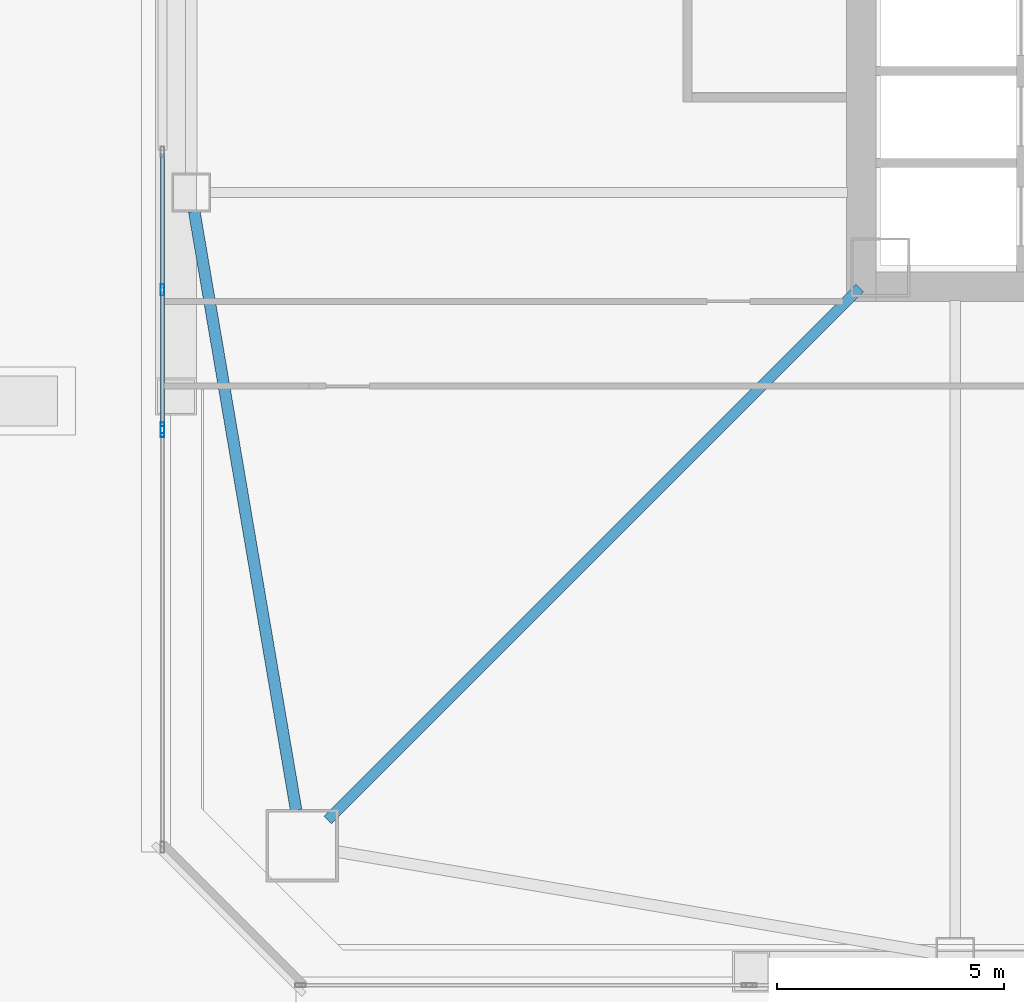
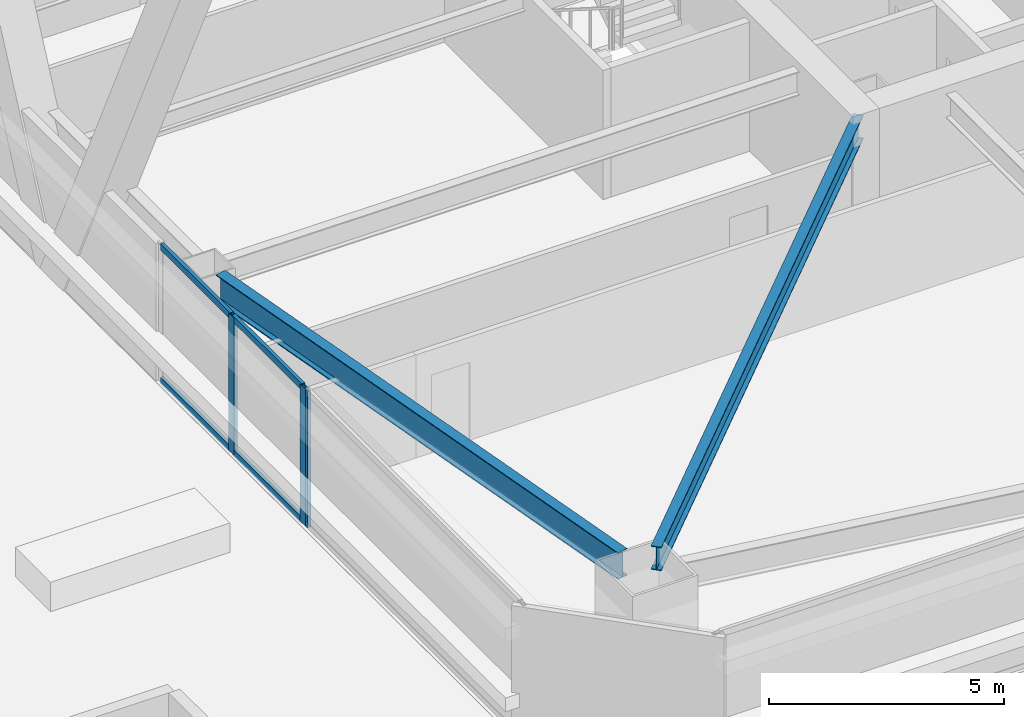
# One storey, part 6 of 83: 7 members, 2 beams, 2 elements without a shape of their own.
"""IFC4 building model written with IfcOpenShell, lengths in metres."""

from ifc_helpers import new_model, si_unit, direction, frame, origin, origin_2d, place, context, subcontext, project, spatial, hollow_rectangle, i_section, extrude, material, material_profile, profile_set, type_object, element, aggregate, save


model = new_model("IFC4")

# Units and contexts
model_context = context("Model", 3, precision=1e-05, world=origin(), true_north=direction((0.0, 1.0)))
body_context = subcontext(model_context, "Body", "Model", "MODEL_VIEW")
ifc_project = project(units=[si_unit("LENGTHUNIT", "METRE"), si_unit("AREAUNIT", "SQUARE_METRE"), si_unit("VOLUMEUNIT", "CUBIC_METRE"), si_unit("PLANEANGLEUNIT", "RADIAN"), si_unit("MASSUNIT", "GRAM", prefix="KILO")], contexts=[model_context])

# Site, building, storey
site_placement = place(None, origin())
site = spatial("IfcSite", under=ifc_project, at=site_placement, CompositionType="ELEMENT")
building_placement = place(site_placement, origin())
building = spatial("IfcBuilding", under=site, at=building_placement, Name="Tashvorn Skyway Center", CompositionType="ELEMENT")
storey_placement = place(building_placement, frame((0.0, 0.0, 24.60009765625)))
storey = spatial("IfcBuildingStorey", under=building, at=storey_placement, Name="L05", CompositionType="ELEMENT", Elevation=24.60009765625)

# Beams
ifc_material_1 = material(Name="Steel ASTM A992 Grade 50", Category="steel")
ifc_material_profile_1 = material_profile(ifc_material_1, i_section(OverallWidth=0.22998046875, OverallDepth=0.616943359375, WebThickness=0.01318359375, FlangeThickness=0.022216796875, at=origin_2d()), Name="W24X94")
ifc_profile_set_1 = profile_set([ifc_material_profile_1], Name="Steel ASTM A992 Grade 50")
beam_type_1 = type_object("IfcBeamType", Name="BM-BEAM-W24X94", PredefinedType="BEAM", material=ifc_profile_set_1)
beam_1_placement = place(storey_placement, frame((22.76220703125, 12.76220703125, 3.04150390625), z_axis=(0.707106781187, 0.707106781187, 0.0), x_axis=(-0.707106781187, 0.707106781187, 0.0)))
element("IfcBeam", 1, at=beam_1_placement, inside=storey, type_object=beam_type_1, Name="Tower 1 L05 Primary Floor Girder MC-SW", PredefinedType="BEAM", context=body_context, shape_type="SweptSolid", body=[
    extrude(i_section(OverallWidth=0.22998046875, OverallDepth=0.616943359375, WebThickness=0.01318359375, FlangeThickness=0.022216796875, at=origin_2d()), origin(), (0.0, 0.0, 1.0), 16.591064453125),
])
ifc_material_profile_2 = material_profile(ifc_material_1, i_section(OverallWidth=0.256103515625, OverallDepth=0.693115234375, WebThickness=0.014404296875, FlangeThickness=0.023681640625, at=origin_2d()), Name="W27X114")
ifc_profile_set_2 = profile_set([ifc_material_profile_2], Name="Steel ASTM A992 Grade 50")
beam_type_2 = type_object("IfcBeamType", Name="BM-SPANDREL-W27X114", PredefinedType="SPANDREL", material=ifc_profile_set_2)
beam_2_placement = place(storey_placement, frame((19.820556640625, 26.18603515625, 3.00341796875), z_axis=(0.16771792509, -0.985835025551, 0.0), x_axis=(0.985835025551, 0.16771792509, 0.0)))
element("IfcBeam", 2, at=beam_2_placement, inside=storey, type_object=beam_type_2, Name="Tower 1 L05 Spandrel Beam 12", PredefinedType="SPANDREL", context=body_context, shape_type="SweptSolid", body=[
    extrude(i_section(OverallWidth=0.256103515625, OverallDepth=0.693115234375, WebThickness=0.014404296875, FlangeThickness=0.023681640625, at=origin_2d()), origin(), (0.0, 0.0, 1.0), 13.39208984375),
])

# Curtain wall, member
ifc_material_2 = material(Name="Thermally broken bronze-anodized aluminium 6063-T6", Category="aluminium")
curtain_wall_type = type_object("IfcCurtainWallType", Name="CW-CW-Z1", PredefinedType="NOTDEFINED", material=ifc_material_2)
curtain_wall_1_placement = place(storey_placement, origin())
curtain_wall_1 = element("IfcCurtainWall", 3, at=curtain_wall_1_placement, inside=storey, type_object=curtain_wall_type, Name="Tower 1 L05 West Unitised Curtain Wall L Glazing Group 1", PredefinedType="NOTDEFINED")
ifc_material_profile_3 = material_profile(ifc_material_2, hollow_rectangle(XDim=0.0849609375, YDim=0.239990234375, WallThickness=0.0048828125, at=origin_2d()), Name="ALU-MULL-85x240")
ifc_profile_set_3 = profile_set([ifc_material_profile_3], Name="Thermally broken bronze-anodized aluminium 6063-T6")
member_type_1 = type_object("IfcMemberType", Name="CWM-CW-Z1", PredefinedType="MULLION", material=ifc_profile_set_3)
member_1_placement = place(storey_placement, frame((19.1201171875, 21.32666015625, 0.0), z_axis=(0.0, 0.0, 1.0), x_axis=(-1.0, 0.0, 0.0)))
member_1 = element("IfcMember", 4, at=member_1_placement, type_object=member_type_1, Name="CW-Z1 mullion 2", PredefinedType="MULLION", context=body_context, shape_type="SweptSolid", body=[
    extrude(hollow_rectangle(XDim=0.0849609375, YDim=0.239990234375, WallThickness=0.0048828125, at=origin_2d()), origin(), (0.0, 0.0, 1.0), 3.5498046875),
])
aggregate(curtain_wall_1, [member_1])

# Curtain wall, members
curtain_wall_2_placement = place(storey_placement, origin())
curtain_wall_2 = element("IfcCurtainWall", 5, at=curtain_wall_2_placement, inside=storey, type_object=curtain_wall_type, Name="Tower 1 L05 West Unitised Curtain Wall L Glazing Group 2", PredefinedType="NOTDEFINED")
member_2_placement = place(storey_placement, frame((19.1201171875, 21.41162109375, 0.0), z_axis=(0.0, 0.0, 1.0), x_axis=(-1.0, 0.0, 0.0)))
member_2 = element("IfcMember", 6, at=member_2_placement, type_object=member_type_1, Name="CW-Z1 mullion 1", PredefinedType="MULLION", context=body_context, shape_type="SweptSolid", body=[
    extrude(hollow_rectangle(XDim=0.0849609375, YDim=0.239990234375, WallThickness=0.0048828125, at=origin_2d()), origin(), (0.0, 0.0, 1.0), 3.5498046875),
])
member_3_placement = place(storey_placement, frame((19.1201171875, 24.4521484375, 0.0), z_axis=(0.0, 0.0, 1.0), x_axis=(-1.0, 0.0, 0.0)))
member_3 = element("IfcMember", 7, at=member_3_placement, type_object=member_type_1, Name="CW-Z1 mullion 2", PredefinedType="MULLION", context=body_context, shape_type="SweptSolid", body=[
    extrude(hollow_rectangle(XDim=0.0849609375, YDim=0.239990234375, WallThickness=0.0048828125, at=origin_2d()), origin(), (0.0, 0.0, 1.0), 3.5498046875),
])
ifc_material_profile_4 = material_profile(ifc_material_2, hollow_rectangle(XDim=0.0849609375, YDim=0.1650390625, WallThickness=0.0048828125, at=origin_2d()), Name="ALU-TRAN-85x165")
ifc_profile_set_4 = profile_set([ifc_material_profile_4], Name="Thermally broken bronze-anodized aluminium 6063-T6")
member_type_2 = type_object("IfcMemberType", Name="CWT-CW-Z1", PredefinedType="USERDEFINED", material=ifc_profile_set_4)
member_4_placement = place(storey_placement, frame((19.1201171875, 21.4541015625, 0.04248046875), z_axis=(0.0, 1.0, 0.0), x_axis=(-1.0, 0.0, 0.0)))
member_4 = element("IfcMember", 8, at=member_4_placement, type_object=member_type_2, Name="CW-Z1 transom 1.1", ObjectType="TRANSOM", PredefinedType="USERDEFINED", context=body_context, shape_type="SweptSolid", body=[
    extrude(hollow_rectangle(XDim=0.0849609375, YDim=0.1650390625, WallThickness=0.0048828125, at=origin_2d()), origin(), (0.0, 0.0, 1.0), 2.95556640625),
])
member_5_placement = place(storey_placement, frame((19.1201171875, 21.4541015625, 3.50732421875), z_axis=(0.0, 1.0, 0.0), x_axis=(-1.0, 0.0, 0.0)))
member_5 = element("IfcMember", 9, at=member_5_placement, type_object=member_type_2, Name="CW-Z1 transom 1.2", ObjectType="TRANSOM", PredefinedType="USERDEFINED", context=body_context, shape_type="SweptSolid", body=[
    extrude(hollow_rectangle(XDim=0.0849609375, YDim=0.1650390625, WallThickness=0.0048828125, at=origin_2d()), origin(), (0.0, 0.0, 1.0), 2.95556640625),
])
member_6_placement = place(storey_placement, frame((19.1201171875, 24.49462890625, 0.04248046875), z_axis=(0.0, 1.0, 0.0), x_axis=(-1.0, 0.0, 0.0)))
member_6 = element("IfcMember", 10, at=member_6_placement, type_object=member_type_2, Name="CW-Z1 transom 2.1", ObjectType="TRANSOM", PredefinedType="USERDEFINED", context=body_context, shape_type="SweptSolid", body=[
    extrude(hollow_rectangle(XDim=0.0849609375, YDim=0.1650390625, WallThickness=0.0048828125, at=origin_2d()), origin(), (0.0, 0.0, 1.0), 2.95556640625),
])
member_7_placement = place(storey_placement, frame((19.1201171875, 24.49462890625, 3.50732421875), z_axis=(0.0, 1.0, 0.0), x_axis=(-1.0, 0.0, 0.0)))
member_7 = element("IfcMember", 11, at=member_7_placement, type_object=member_type_2, Name="CW-Z1 transom 2.2", ObjectType="TRANSOM", PredefinedType="USERDEFINED", context=body_context, shape_type="SweptSolid", body=[
    extrude(hollow_rectangle(XDim=0.0849609375, YDim=0.1650390625, WallThickness=0.0048828125, at=origin_2d()), origin(), (0.0, 0.0, 1.0), 2.95556640625),
])
aggregate(curtain_wall_2, [member_2, member_3, member_4, member_5, member_6, member_7])

save(model, "model.ifc")
